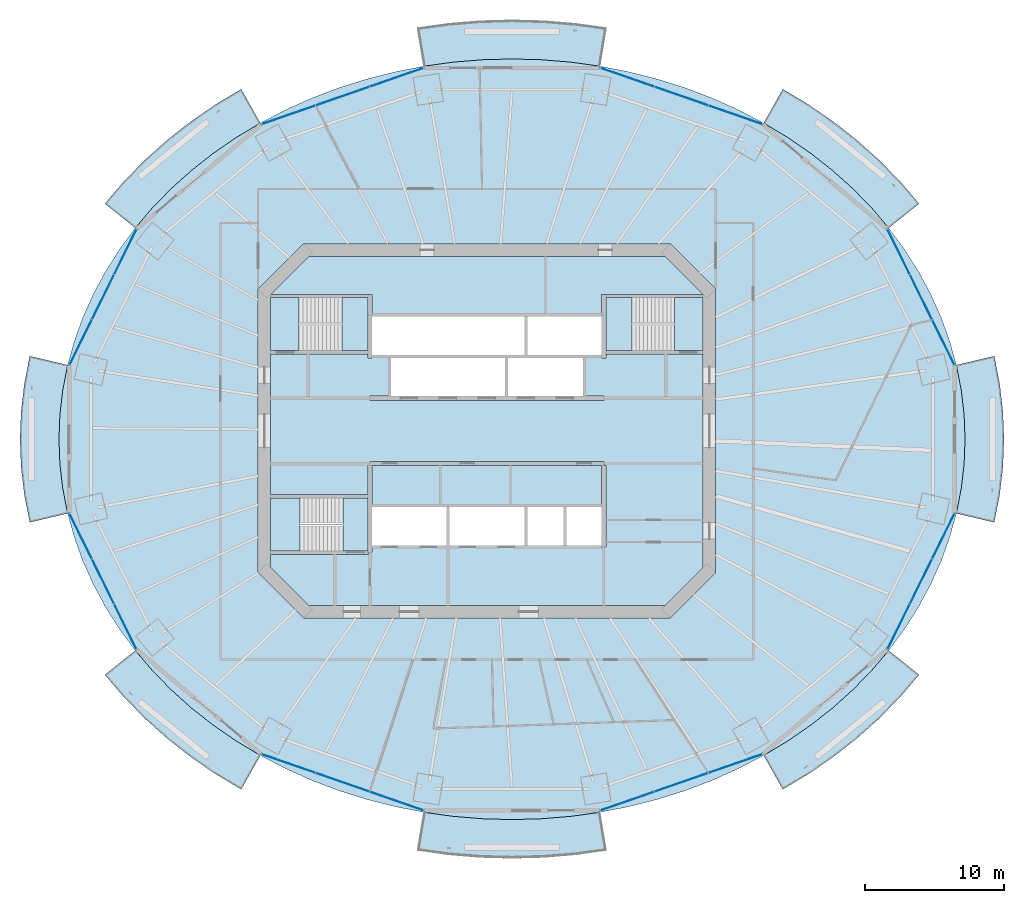
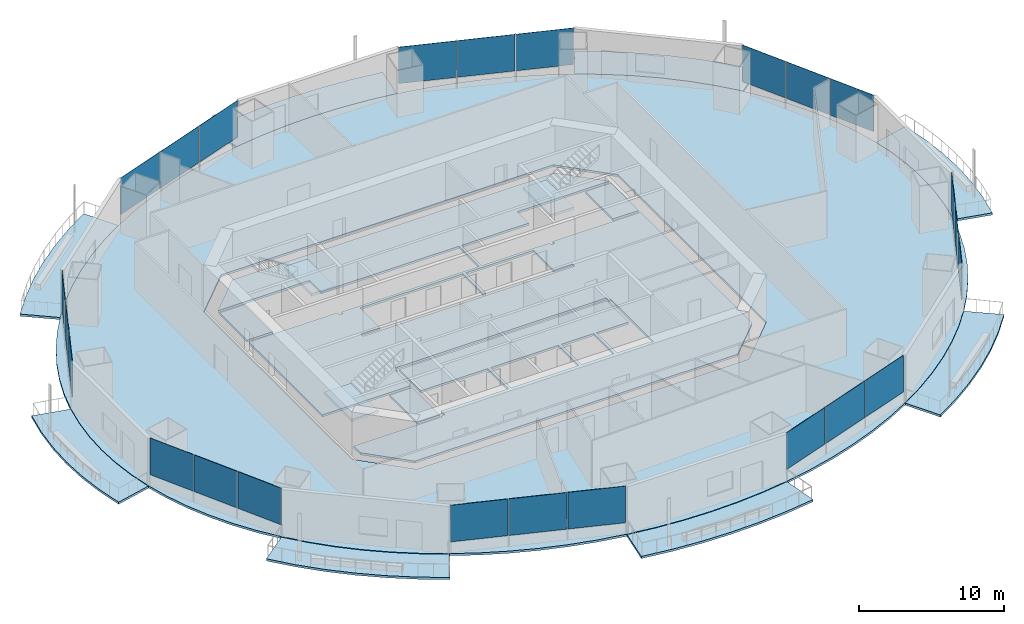
# One storey, part 10 of 20: 24 plates, 16 slabs, 11 elements without a shape of their own.
"""IFC4 building model written with IfcOpenShell, lengths in metres."""

from ifc_helpers import new_model, si_unit, direction, frame, origin, origin_2d, place, context, subcontext, project, spatial, polyline, rectangle, outline, extrude, material, layer, layer_set, type_object, element, aggregate, save


model = new_model("IFC4")

# Units and contexts
model_context = context("Model", 3, precision=1e-05, world=origin(), true_north=direction((0.0, 1.0)))
body_context = subcontext(model_context, "Body", "Model", "MODEL_VIEW")
ifc_project = project(units=[si_unit("LENGTHUNIT", "METRE"), si_unit("AREAUNIT", "SQUARE_METRE"), si_unit("VOLUMEUNIT", "CUBIC_METRE"), si_unit("PLANEANGLEUNIT", "RADIAN"), si_unit("MASSUNIT", "GRAM", prefix="KILO")], contexts=[model_context])

# Site, building, storey
site_placement = place(None, origin())
site = spatial("IfcSite", under=ifc_project, at=site_placement, CompositionType="ELEMENT")
building_placement = place(site_placement, origin())
building = spatial("IfcBuilding", under=site, at=building_placement, Name="Marenthal Gate Tower", CompositionType="ELEMENT")
storey_placement = place(building_placement, frame((0.0, 0.0, 177.64990234375)))
storey = spatial("IfcBuildingStorey", under=building, at=storey_placement, Name="L38", CompositionType="ELEMENT", Elevation=177.64990234375)

# Slabs
ifc_material_1 = material(Name="Concrete 40 MPa", Category="concrete")
ifc_layer_1 = layer(ifc_material_1, 0.179931640625)
ifc_layer_set_1 = layer_set([ifc_layer_1], Name="Balcony deck 180")
slab_type_1 = type_object("IfcSlabType", Name="Balcony deck 180", PredefinedType="USERDEFINED", material=ifc_layer_set_1)
slab_1_placement = place(storey_placement, frame((0.0, 0.0, -0.219970703125)))
element("IfcSlab", 1, at=slab_1_placement, inside=storey, type_object=slab_type_1, Name="Balcony deck L38 bay 2", ObjectType="BALCONY", PredefinedType="USERDEFINED", context=body_context, shape_type="SweptSolid", body=[
    extrude(outline(polyline([(28.88671875, 14.592529296875), (27.64501953125, 16.047119140625), (26.292724609375, 17.430419921875), (24.83544921875, 18.736572265625), (23.279541015625, 19.959716796875), (21.631591796875, 21.094970703125), (19.898681640625, 22.137451171875), (21.2685546875, 24.57958984375), (23.147705078125, 23.448974609375), (24.939453125, 22.214599609375), (26.635498046875, 20.881103515625), (28.228759765625, 19.453125), (29.711669921875, 17.936279296875), (31.077392578125, 16.33642578125), (28.88671875, 14.592529296875)])), origin(), (0.0, 0.0, 1.0), 0.18017578125),
])
slab_2_placement = place(storey_placement, frame((0.0, 0.0, -0.219970703125)))
element("IfcSlab", 2, at=slab_2_placement, inside=storey, type_object=slab_type_1, Name="Balcony deck L38 bay 4", ObjectType="BALCONY", PredefinedType="USERDEFINED", context=body_context, shape_type="SweptSolid", body=[
    extrude(outline(polyline([(8.155517578125, 26.220703125), (6.05224609375, 26.51220703125), (3.9306640625, 26.6875), (1.800048828125, 26.74609375), (-0.33056640625, 26.6875), (-2.4521484375, 26.51220703125), (-4.555419921875, 26.220703125), (-5.0166015625, 28.982421875), (-2.759765625, 29.295166015625), (-0.484375, 29.483154296875), (1.800048828125, 29.5458984375), (4.08447265625, 29.483154296875), (6.35986328125, 29.295166015625), (8.61669921875, 28.982421875), (8.155517578125, 26.220703125)])), origin(), (0.0, 0.0, 1.0), 0.18017578125),
])
slab_3_placement = place(storey_placement, frame((0.0, 0.0, -0.219970703125)))
element("IfcSlab", 3, at=slab_3_placement, inside=storey, type_object=slab_type_1, Name="Balcony deck L38 bay 6", ObjectType="BALCONY", PredefinedType="USERDEFINED", context=body_context, shape_type="SweptSolid", body=[
    extrude(outline(polyline([(-16.298828125, 22.137451171875), (-18.031494140625, 21.094970703125), (-19.679443359375, 19.959716796875), (-21.2353515625, 18.736572265625), (-22.692626953125, 17.430419921875), (-24.045166015625, 16.047119140625), (-25.286865234375, 14.592529296875), (-27.4775390625, 16.33642578125), (-26.11181640625, 17.936279296875), (-24.62890625, 19.453125), (-23.03564453125, 20.881103515625), (-21.33935546875, 22.214599609375), (-19.5478515625, 23.448974609375), (-17.66845703125, 24.57958984375), (-16.298828125, 22.137451171875)])), origin(), (0.0, 0.0, 1.0), 0.18017578125),
])
slab_4_placement = place(storey_placement, frame((0.0, 0.0, -0.219970703125)))
element("IfcSlab", 4, at=slab_4_placement, inside=storey, type_object=slab_type_1, Name="Balcony deck L38 bay 8", ObjectType="BALCONY", PredefinedType="USERDEFINED", context=body_context, shape_type="SweptSolid", body=[
    extrude(outline(polyline([(-30.15087890625, 4.73486328125), (-30.498291015625, 2.969482421875), (-30.707275390625, 1.1884765625), (-30.777099609375, -0.60009765625), (-30.707275390625, -2.388427734375), (-30.498291015625, -4.16943359375), (-30.15087890625, -5.934814453125), (-32.87548828125, -6.58056640625), (-33.264404296875, -4.603271484375), (-33.498779296875, -2.6064453125), (-33.576904296875, -0.60009765625), (-33.498779296875, 1.406494140625), (-33.264404296875, 3.4033203125), (-32.87548828125, 5.380615234375), (-30.15087890625, 4.73486328125)])), origin(), (0.0, 0.0, 1.0), 0.18017578125),
])
slab_5_placement = place(storey_placement, frame((0.0, 0.0, -0.219970703125)))
element("IfcSlab", 5, at=slab_5_placement, inside=storey, type_object=slab_type_1, Name="Balcony deck L38 bay 10", ObjectType="BALCONY", PredefinedType="USERDEFINED", context=body_context, shape_type="SweptSolid", body=[
    extrude(outline(polyline([(-25.286865234375, -15.79248046875), (-24.045166015625, -17.247314453125), (-22.692626953125, -18.630615234375), (-21.2353515625, -19.9365234375), (-19.679443359375, -21.159912109375), (-18.031494140625, -22.294921875), (-16.298828125, -23.33740234375), (-17.66845703125, -25.779541015625), (-19.5478515625, -24.64892578125), (-21.33935546875, -23.414794921875), (-23.03564453125, -22.0810546875), (-24.62890625, -20.6533203125), (-26.11181640625, -19.136474609375), (-27.4775390625, -17.536376953125), (-25.286865234375, -15.79248046875)])), origin(), (0.0, 0.0, 1.0), 0.18017578125),
])
slab_6_placement = place(storey_placement, frame((0.0, 0.0, -0.219970703125)))
element("IfcSlab", 6, at=slab_6_placement, inside=storey, type_object=slab_type_1, Name="Balcony deck L38 bay 12", ObjectType="BALCONY", PredefinedType="USERDEFINED", context=body_context, shape_type="SweptSolid", body=[
    extrude(outline(polyline([(-4.555419921875, -27.420654296875), (-2.4521484375, -27.712158203125), (-0.33056640625, -27.887451171875), (1.800048828125, -27.946044921875), (3.9306640625, -27.887451171875), (6.05224609375, -27.712158203125), (8.155517578125, -27.420654296875), (8.61669921875, -30.182373046875), (6.35986328125, -30.4951171875), (4.08447265625, -30.683349609375), (1.800048828125, -30.74609375), (-0.484375, -30.683349609375), (-2.759765625, -30.4951171875), (-5.0166015625, -30.182373046875), (-4.555419921875, -27.420654296875)])), origin(), (0.0, 0.0, 1.0), 0.18017578125),
])
slab_7_placement = place(storey_placement, frame((0.0, 0.0, -0.219970703125)))
element("IfcSlab", 7, at=slab_7_placement, inside=storey, type_object=slab_type_1, Name="Balcony deck L38 bay 14", ObjectType="BALCONY", PredefinedType="USERDEFINED", context=body_context, shape_type="SweptSolid", body=[
    extrude(outline(polyline([(19.898681640625, -23.33740234375), (21.631591796875, -22.294921875), (23.279541015625, -21.159912109375), (24.83544921875, -19.9365234375), (26.292724609375, -18.630615234375), (27.64501953125, -17.247314453125), (28.88671875, -15.79248046875), (31.077392578125, -17.536376953125), (29.711669921875, -19.136474609375), (28.228759765625, -20.6533203125), (26.635498046875, -22.0810546875), (24.939453125, -23.414794921875), (23.147705078125, -24.64892578125), (21.2685546875, -25.779541015625), (19.898681640625, -23.33740234375)])), origin(), (0.0, 0.0, 1.0), 0.18017578125),
])
slab_8_placement = place(storey_placement, frame((0.0, 0.0, -0.219970703125)))
element("IfcSlab", 8, at=slab_8_placement, inside=storey, type_object=slab_type_1, Name="Balcony deck L38 bay 16", ObjectType="BALCONY", PredefinedType="USERDEFINED", context=body_context, shape_type="SweptSolid", body=[
    extrude(outline(polyline([(33.7509765625, -5.934814453125), (34.098388671875, -4.16943359375), (34.307373046875, -2.388427734375), (34.376953125, -0.60009765625), (34.307373046875, 1.1884765625), (34.098388671875, 2.969482421875), (33.7509765625, 4.73486328125), (36.4755859375, 5.380615234375), (36.864501953125, 3.4033203125), (37.098876953125, 1.406494140625), (37.177001953125, -0.60009765625), (37.098876953125, -2.6064453125), (36.864501953125, -4.603271484375), (36.4755859375, -6.58056640625), (33.7509765625, -5.934814453125)])), origin(), (0.0, 0.0, 1.0), 0.18017578125),
])
ifc_material_2 = material(Name="Concrete 50 MPa", Category="concrete")
ifc_layer_2 = layer(ifc_material_2, 0.179931640625)
ifc_layer_set_2 = layer_set([ifc_layer_2], Name="Core floor slab 180")
slab_type_2 = type_object("IfcSlabType", Name="Core floor slab 180", PredefinedType="FLOOR", material=ifc_layer_set_2)
slab_9_placement = place(storey_placement, frame((0.0, 0.0, -0.179931640625)))
element("IfcSlab", 9, at=slab_9_placement, inside=storey, type_object=slab_type_2, Name="Core floor L38", PredefinedType="FLOOR", context=body_context, shape_type="SweptSolid", body=[
    extrude(outline(polyline([(12.813720703125, -12.550048828125), (-12.813720703125, -12.550048828125), (-15.550048828125, -9.813720703125), (-15.550048828125, -8.875), (-8.550048828125, -8.875), (-8.550048828125, -8.75), (-8.25, -8.75), (-8.25, -8.239990234375), (-5.60009765625, -8.239990234375), (-2.909912109375, -8.239990234375), (-2.909912109375, -5.4599609375), (-5.60009765625, -5.4599609375), (-8.25, -5.4599609375), (-8.25, -2.5), (8.25, -2.5), (8.25, -5.4599609375), (5.7099609375, -5.4599609375), (5.7099609375, -8.239990234375), (8.25, -8.239990234375), (8.25, -8.35009765625), (8.550048828125, -8.35009765625), (8.550048828125, -2.5), (8.39990234375, -2.5), (8.39990234375, -2.199951171875), (-8.39990234375, -2.199951171875), (-8.39990234375, -2.5), (-8.550048828125, -2.5), (-8.550048828125, -4.574951171875), (-15.550048828125, -4.574951171875), (-15.550048828125, 5.52490234375), (-8.550048828125, 5.52490234375), (-8.550048828125, 5.239990234375), (-8.25, 5.239990234375), (-8.25, 5.4599609375), (-5.60009765625, 5.4599609375), (-2.800048828125, 5.4599609375), (0.0, 5.4599609375), (2.68994140625, 5.4599609375), (2.68994140625, 8.239990234375), (0.0, 8.239990234375), (-2.800048828125, 8.239990234375), (-5.60009765625, 8.239990234375), (-8.25, 8.239990234375), (-8.25, 8.35009765625), (-8.25, 9.824951171875), (-8.550048828125, 9.824951171875), (-15.53857421875, 9.824951171875), (-12.813720703125, 12.550048828125), (12.813720703125, 12.550048828125), (15.53857421875, 9.824951171875), (8.550048828125, 9.824951171875), (8.25, 9.824951171875), (8.25, 8.35009765625), (8.25, 8.239990234375), (5.60009765625, 8.239990234375), (2.909912109375, 8.239990234375), (2.909912109375, 5.4599609375), (5.60009765625, 5.4599609375), (8.25, 5.4599609375), (8.25, 5.239990234375), (8.550048828125, 5.239990234375), (8.550048828125, 5.52490234375), (15.550048828125, 5.52490234375), (15.550048828125, -9.813720703125), (12.813720703125, -12.550048828125)]), holes=[polyline([(2.68994140625, -8.239990234375), (2.68994140625, -5.4599609375), (0.0, -5.4599609375), (-2.68994140625, -5.4599609375), (-2.68994140625, -8.239990234375), (0.0, -8.239990234375), (2.68994140625, -8.239990234375)]), polyline([(-6.889892578125, 5.239990234375), (-6.889892578125, 2.5), (-8.39990234375, 2.5), (-8.39990234375, 2.199951171875), (8.39990234375, 2.199951171875), (8.39990234375, 2.5), (6.889892578125, 2.5), (6.889892578125, 5.239990234375), (4.199951171875, 5.239990234375), (1.510009765625, 5.239990234375), (1.510009765625, 2.5), (1.2900390625, 2.5), (1.2900390625, 5.239990234375), (-1.39990234375, 5.239990234375), (-4.199951171875, 5.239990234375), (-6.889892578125, 5.239990234375)]), polyline([(5.489990234375, -5.4599609375), (2.909912109375, -5.4599609375), (2.909912109375, -8.239990234375), (5.489990234375, -8.239990234375), (5.489990234375, -5.4599609375)])]), origin(), (0.0, 0.0, 1.0), 0.179931640625),
])
slab_10_placement = place(storey_placement, frame((0.0, 0.0, -0.179931640625)))
element("IfcSlab", 10, at=slab_10_placement, inside=storey, type_object=slab_type_2, Name="Core floor L38", PredefinedType="FLOOR", context=body_context, shape_type="SweptSolid", body=[
    extrude(outline(polyline([(15.550048828125, 5.77490234375), (13.5, 5.77490234375), (13.5, 9.574951171875), (15.550048828125, 9.574951171875), (15.550048828125, 5.77490234375)])), origin(), (0.0, 0.0, 1.0), 0.179931640625),
])
slab_11_placement = place(storey_placement, frame((0.0, 0.0, -0.179931640625)))
element("IfcSlab", 11, at=slab_11_placement, inside=storey, type_object=slab_type_2, Name="Core floor L38", PredefinedType="FLOOR", context=body_context, shape_type="SweptSolid", body=[
    extrude(outline(polyline([(-15.550048828125, 9.574951171875), (-13.5, 9.574951171875), (-13.5, 5.77490234375), (-15.550048828125, 5.77490234375), (-15.550048828125, 9.574951171875)])), origin(), (0.0, 0.0, 1.0), 0.179931640625),
])
slab_12_placement = place(storey_placement, frame((0.0, 0.0, -0.179931640625)))
element("IfcSlab", 12, at=slab_12_placement, inside=storey, type_object=slab_type_2, Name="Core floor L38", PredefinedType="FLOOR", context=body_context, shape_type="SweptSolid", body=[
    extrude(outline(polyline([(-8.550048828125, -8.625), (-10.35009765625, -8.625), (-10.35009765625, -4.824951171875), (-8.550048828125, -4.824951171875), (-8.550048828125, -8.625)])), origin(), (0.0, 0.0, 1.0), 0.179931640625),
])
ifc_material_3 = material(Name="Concrete 35 MPa", Category="concrete")
ifc_layer_3 = layer(ifc_material_3, 0.179931640625)
ifc_layer_set_3 = layer_set([ifc_layer_3], Name="Floor slab 180")
slab_type_3 = type_object("IfcSlabType", Name="Floor slab 180", PredefinedType="FLOOR", material=ifc_layer_set_3)
slab_13_placement = place(storey_placement, frame((0.0, 0.0, -0.179931640625)))
element("IfcSlab", 13, at=slab_13_placement, inside=storey, type_object=slab_type_3, Name="SL-L38-01", PredefinedType="FLOOR", context=body_context, shape_type="SweptSolid", body=[
    extrude(outline(polyline([(34.376953125, -0.60009765625), (34.307373046875, 1.1884765625), (34.098388671875, 2.969482421875), (33.7509765625, 4.73486328125), (33.26708984375, 6.477783203125), (32.648193359375, 8.190185546875), (31.897216796875, 9.864990234375), (31.017333984375, 11.494873046875), (30.012451171875, 13.072998046875), (28.88671875, 14.592529296875), (27.64501953125, 16.047119140625), (26.292724609375, 17.430419921875), (24.83544921875, 18.736572265625), (23.279541015625, 19.959716796875), (21.631591796875, 21.094970703125), (19.898681640625, 22.137451171875), (18.08837890625, 23.082275390625), (16.20849609375, 23.92578125), (14.2666015625, 24.664306640625), (12.271484375, 25.294921875), (10.2314453125, 25.814208984375), (8.155517578125, 26.220703125), (6.05224609375, 26.51220703125), (3.9306640625, 26.6875), (1.800048828125, 26.74609375), (-0.33056640625, 26.6875), (-2.4521484375, 26.51220703125), (-4.555419921875, 26.220703125), (-6.631591796875, 25.814208984375), (-8.67138671875, 25.294921875), (-10.666748046875, 24.664306640625), (-12.6083984375, 23.92578125), (-14.488525390625, 23.082275390625), (-16.298828125, 22.137451171875), (-18.031494140625, 21.094970703125), (-19.679443359375, 19.959716796875), (-21.2353515625, 18.736572265625), (-22.692626953125, 17.430419921875), (-24.045166015625, 16.047119140625), (-25.286865234375, 14.592529296875), (-26.41259765625, 13.072998046875), (-27.41748046875, 11.494873046875), (-28.297119140625, 9.864990234375), (-29.048095703125, 8.190185546875), (-29.6669921875, 6.477783203125), (-30.15087890625, 4.73486328125), (-30.498291015625, 2.969482421875), (-30.707275390625, 1.1884765625), (-30.777099609375, -0.60009765625), (-30.707275390625, -2.388427734375), (-30.498291015625, -4.16943359375), (-30.15087890625, -5.934814453125), (-29.6669921875, -7.677734375), (-29.048095703125, -9.39013671875), (-28.297119140625, -11.06494140625), (-27.41748046875, -12.69482421875), (-26.41259765625, -14.27294921875), (-25.286865234375, -15.79248046875), (-24.045166015625, -17.247314453125), (-22.692626953125, -18.630615234375), (-21.2353515625, -19.9365234375), (-19.679443359375, -21.159912109375), (-18.031494140625, -22.294921875), (-16.298828125, -23.33740234375), (-14.488525390625, -24.2822265625), (-12.6083984375, -25.1259765625), (-10.666748046875, -25.864501953125), (-8.67138671875, -26.494873046875), (-6.631591796875, -27.01416015625), (-4.555419921875, -27.420654296875), (-2.4521484375, -27.712158203125), (-0.33056640625, -27.887451171875), (1.800048828125, -27.946044921875), (3.9306640625, -27.887451171875), (6.05224609375, -27.712158203125), (8.155517578125, -27.420654296875), (10.2314453125, -27.01416015625), (12.271484375, -26.494873046875), (14.2666015625, -25.864501953125), (16.20849609375, -25.1259765625), (18.08837890625, -24.2822265625), (19.898681640625, -23.33740234375), (21.631591796875, -22.294921875), (23.279541015625, -21.159912109375), (24.83544921875, -19.9365234375), (26.292724609375, -18.630615234375), (27.64501953125, -17.247314453125), (28.88671875, -15.79248046875), (30.012451171875, -14.27294921875), (31.017333984375, -12.69482421875), (31.897216796875, -11.06494140625), (32.648193359375, -9.39013671875), (33.26708984375, -7.677734375), (33.7509765625, -5.934814453125), (34.098388671875, -4.16943359375), (34.307373046875, -2.388427734375), (34.376953125, -0.60009765625)]), holes=[polyline([(13.186279296875, -13.449951171875), (16.449951171875, -10.186279296875), (16.449951171875, 10.186279296875), (13.186279296875, 13.449951171875), (-13.186279296875, 13.449951171875), (-16.449951171875, 10.186279296875), (-16.449951171875, -10.186279296875), (-13.186279296875, -13.449951171875), (13.186279296875, -13.449951171875)])]), origin(), (0.0, 0.0, 1.0), 0.179931640625),
])

# Curtain wall, plates
ifc_material_4 = material(Name="Aluminium and glass", Category="aluminium")
curtain_wall_type = type_object("IfcCurtainWallType", Name="Curtain wall typical mid", PredefinedType="NOTDEFINED", material=ifc_material_4)
curtain_wall_1_placement = place(storey_placement, origin())
curtain_wall_1 = element("IfcCurtainWall", 14, at=curtain_wall_1_placement, inside=storey, type_object=curtain_wall_type, Name="Curtain wall L38 bay 1", PredefinedType="NOTDEFINED")
ifc_material_5 = material(Name="Glass, laminated insulating unit", Category="glass")
ifc_layer_4 = layer(ifc_material_5, 0.030029296875)
ifc_layer_set_4 = layer_set([ifc_layer_4], Name="Glass panel 30 typical mid")
plate_type = type_object("IfcPlateType", Name="Glass panel 30 typical mid", PredefinedType="CURTAIN_PANEL", material=ifc_layer_set_4)
plate_1_placement = place(storey_placement, frame((32.816650390625, 6.365234375, 0.89990234375), z_axis=(0.0, 0.0, 1.0), x_axis=(-0.442753381428, 0.89664343149, 0.0)))
plate_1 = element("IfcPlate", 15, at=plate_1_placement, type_object=plate_type, Name="Glass panel L38 bay 1.1", PredefinedType="CURTAIN_PANEL", context=body_context, shape_type="SweptSolid", body=[
    extrude(rectangle(XDim=3.568603515625, YDim=0.030029296875, at=origin_2d()), origin(), (0.0, 0.0, 1.0), 3.070068359375),
])
plate_2_placement = place(storey_placement, frame((31.210205078125, 9.61865234375, 0.89990234375), z_axis=(0.0, 0.0, 1.0), x_axis=(-0.442753381428, 0.89664343149, 0.0)))
plate_2 = element("IfcPlate", 16, at=plate_2_placement, type_object=plate_type, Name="Glass panel L38 bay 1.2", PredefinedType="CURTAIN_PANEL", context=body_context, shape_type="SweptSolid", body=[
    extrude(rectangle(XDim=3.568603515625, YDim=0.030029296875, at=origin_2d()), origin(), (0.0, 0.0, 1.0), 3.070068359375),
])
plate_3_placement = place(storey_placement, frame((29.603515625, 12.872314453125, 0.89990234375), z_axis=(0.0, 0.0, 1.0), x_axis=(-0.442753381428, 0.89664343149, 0.0)))
plate_3 = element("IfcPlate", 17, at=plate_3_placement, type_object=plate_type, Name="Glass panel L38 bay 1.3", PredefinedType="CURTAIN_PANEL", context=body_context, shape_type="SweptSolid", body=[
    extrude(rectangle(XDim=3.568603515625, YDim=0.030029296875, at=origin_2d()), origin(), (0.0, 0.0, 1.0), 3.070068359375),
])
aggregate(curtain_wall_1, [plate_1, plate_2, plate_3])

curtain_wall_2_placement = place(storey_placement, origin())
curtain_wall_2 = element("IfcCurtainWall", 18, at=curtain_wall_2_placement, inside=storey, type_object=curtain_wall_type, Name="Curtain wall L38 bay 3", PredefinedType="NOTDEFINED")
plate_4_placement = place(storey_placement, frame((17.86328125, 22.7216796875, 0.89990234375), z_axis=(0.0, 0.0, 1.0), x_axis=(-0.944604464856, 0.32821091538, 0.0)))
plate_4 = element("IfcPlate", 19, at=plate_4_placement, type_object=plate_type, Name="Glass panel L38 bay 3.1", PredefinedType="CURTAIN_PANEL", context=body_context, shape_type="SweptSolid", body=[
    extrude(rectangle(XDim=4.048583984375, YDim=0.030029296875, at=origin_2d()), origin(), (0.0, 0.0, 1.0), 3.070068359375),
])
plate_5_placement = place(storey_placement, frame((13.982177734375, 24.0703125, 0.89990234375), z_axis=(0.0, 0.0, 1.0), x_axis=(-0.944604464856, 0.32821091538, 0.0)))
plate_5 = element("IfcPlate", 20, at=plate_5_placement, type_object=plate_type, Name="Glass panel L38 bay 3.2", PredefinedType="CURTAIN_PANEL", context=body_context, shape_type="SweptSolid", body=[
    extrude(rectangle(XDim=4.048828125, YDim=0.030029296875, at=origin_2d()), origin(), (0.0, 0.0, 1.0), 3.070068359375),
])
plate_6_placement = place(storey_placement, frame((10.100830078125, 25.418701171875, 0.89990234375), z_axis=(0.0, 0.0, 1.0), x_axis=(-0.944604464856, 0.32821091538, 0.0)))
plate_6 = element("IfcPlate", 21, at=plate_6_placement, type_object=plate_type, Name="Glass panel L38 bay 3.3", PredefinedType="CURTAIN_PANEL", context=body_context, shape_type="SweptSolid", body=[
    extrude(rectangle(XDim=4.048583984375, YDim=0.030029296875, at=origin_2d()), origin(), (0.0, 0.0, 1.0), 3.070068359375),
])
aggregate(curtain_wall_2, [plate_4, plate_5, plate_6])

curtain_wall_3_placement = place(storey_placement, origin())
curtain_wall_3 = element("IfcCurtainWall", 22, at=curtain_wall_3_placement, inside=storey, type_object=curtain_wall_type, Name="Curtain wall L38 bay 5", PredefinedType="NOTDEFINED")
plate_7_placement = place(storey_placement, frame((-6.5009765625, 25.418701171875, 0.89990234375), z_axis=(0.0, 0.0, 1.0), x_axis=(-0.944604464856, -0.32821091538, 0.0)))
plate_7 = element("IfcPlate", 23, at=plate_7_placement, type_object=plate_type, Name="Glass panel L38 bay 5.1", PredefinedType="CURTAIN_PANEL", context=body_context, shape_type="SweptSolid", body=[
    extrude(rectangle(XDim=4.048583984375, YDim=0.030029296875, at=origin_2d()), origin(), (0.0, 0.0, 1.0), 3.070068359375),
])
plate_8_placement = place(storey_placement, frame((-10.382080078125, 24.0703125, 0.89990234375), z_axis=(0.0, 0.0, 1.0), x_axis=(-0.944604464856, -0.32821091538, 0.0)))
plate_8 = element("IfcPlate", 24, at=plate_8_placement, type_object=plate_type, Name="Glass panel L38 bay 5.2", PredefinedType="CURTAIN_PANEL", context=body_context, shape_type="SweptSolid", body=[
    extrude(rectangle(XDim=4.048828125, YDim=0.030029296875, at=origin_2d()), origin(), (0.0, 0.0, 1.0), 3.070068359375),
])
plate_9_placement = place(storey_placement, frame((-14.26318359375, 22.7216796875, 0.89990234375), z_axis=(0.0, 0.0, 1.0), x_axis=(-0.944604464856, -0.32821091538, 0.0)))
plate_9 = element("IfcPlate", 25, at=plate_9_placement, type_object=plate_type, Name="Glass panel L38 bay 5.3", PredefinedType="CURTAIN_PANEL", context=body_context, shape_type="SweptSolid", body=[
    extrude(rectangle(XDim=4.048583984375, YDim=0.030029296875, at=origin_2d()), origin(), (0.0, 0.0, 1.0), 3.070068359375),
])
aggregate(curtain_wall_3, [plate_7, plate_8, plate_9])

curtain_wall_4_placement = place(storey_placement, origin())
curtain_wall_4 = element("IfcCurtainWall", 26, at=curtain_wall_4_placement, inside=storey, type_object=curtain_wall_type, Name="Curtain wall L38 bay 7", PredefinedType="NOTDEFINED")
plate_10_placement = place(storey_placement, frame((-26.003662109375, 12.872314453125, 0.89990234375), z_axis=(0.0, 0.0, 1.0), x_axis=(-0.442753381428, -0.89664343149, 0.0)))
plate_10 = element("IfcPlate", 27, at=plate_10_placement, type_object=plate_type, Name="Glass panel L38 bay 7.1", PredefinedType="CURTAIN_PANEL", context=body_context, shape_type="SweptSolid", body=[
    extrude(rectangle(XDim=3.568603515625, YDim=0.030029296875, at=origin_2d()), origin(), (0.0, 0.0, 1.0), 3.070068359375),
])
plate_11_placement = place(storey_placement, frame((-27.610107421875, 9.61865234375, 0.89990234375), z_axis=(0.0, 0.0, 1.0), x_axis=(-0.442753381428, -0.89664343149, 0.0)))
plate_11 = element("IfcPlate", 28, at=plate_11_placement, type_object=plate_type, Name="Glass panel L38 bay 7.2", PredefinedType="CURTAIN_PANEL", context=body_context, shape_type="SweptSolid", body=[
    extrude(rectangle(XDim=3.568603515625, YDim=0.030029296875, at=origin_2d()), origin(), (0.0, 0.0, 1.0), 3.070068359375),
])
plate_12_placement = place(storey_placement, frame((-29.216796875, 6.365234375, 0.89990234375), z_axis=(0.0, 0.0, 1.0), x_axis=(-0.442753381428, -0.89664343149, 0.0)))
plate_12 = element("IfcPlate", 29, at=plate_12_placement, type_object=plate_type, Name="Glass panel L38 bay 7.3", PredefinedType="CURTAIN_PANEL", context=body_context, shape_type="SweptSolid", body=[
    extrude(rectangle(XDim=3.568603515625, YDim=0.030029296875, at=origin_2d()), origin(), (0.0, 0.0, 1.0), 3.070068359375),
])
aggregate(curtain_wall_4, [plate_10, plate_11, plate_12])

curtain_wall_5_placement = place(storey_placement, origin())
curtain_wall_5 = element("IfcCurtainWall", 30, at=curtain_wall_5_placement, inside=storey, type_object=curtain_wall_type, Name="Curtain wall L38 bay 9", PredefinedType="NOTDEFINED")
plate_13_placement = place(storey_placement, frame((-29.216796875, -7.565185546875, 0.89990234375), z_axis=(0.0, 0.0, 1.0), x_axis=(0.442753381428, -0.89664343149, 0.0)))
plate_13 = element("IfcPlate", 31, at=plate_13_placement, type_object=plate_type, Name="Glass panel L38 bay 9.1", PredefinedType="CURTAIN_PANEL", context=body_context, shape_type="SweptSolid", body=[
    extrude(rectangle(XDim=3.568603515625, YDim=0.030029296875, at=origin_2d()), origin(), (0.0, 0.0, 1.0), 3.070068359375),
])
plate_14_placement = place(storey_placement, frame((-27.610107421875, -10.81884765625, 0.89990234375), z_axis=(0.0, 0.0, 1.0), x_axis=(0.442753381428, -0.89664343149, 0.0)))
plate_14 = element("IfcPlate", 32, at=plate_14_placement, type_object=plate_type, Name="Glass panel L38 bay 9.2", PredefinedType="CURTAIN_PANEL", context=body_context, shape_type="SweptSolid", body=[
    extrude(rectangle(XDim=3.568603515625, YDim=0.030029296875, at=origin_2d()), origin(), (0.0, 0.0, 1.0), 3.070068359375),
])
plate_15_placement = place(storey_placement, frame((-26.003662109375, -14.072265625, 0.89990234375), z_axis=(0.0, 0.0, 1.0), x_axis=(0.442753381428, -0.89664343149, 0.0)))
plate_15 = element("IfcPlate", 33, at=plate_15_placement, type_object=plate_type, Name="Glass panel L38 bay 9.3", PredefinedType="CURTAIN_PANEL", context=body_context, shape_type="SweptSolid", body=[
    extrude(rectangle(XDim=3.568603515625, YDim=0.030029296875, at=origin_2d()), origin(), (0.0, 0.0, 1.0), 3.070068359375),
])
aggregate(curtain_wall_5, [plate_13, plate_14, plate_15])

curtain_wall_6_placement = place(storey_placement, origin())
curtain_wall_6 = element("IfcCurtainWall", 34, at=curtain_wall_6_placement, inside=storey, type_object=curtain_wall_type, Name="Curtain wall L38 bay 11", PredefinedType="NOTDEFINED")
plate_16_placement = place(storey_placement, frame((-14.26318359375, -23.921630859375, 0.89990234375), z_axis=(0.0, 0.0, 1.0), x_axis=(0.944604464856, -0.32821091538, 0.0)))
plate_16 = element("IfcPlate", 35, at=plate_16_placement, type_object=plate_type, Name="Glass panel L38 bay 11.1", PredefinedType="CURTAIN_PANEL", context=body_context, shape_type="SweptSolid", body=[
    extrude(rectangle(XDim=4.048583984375, YDim=0.030029296875, at=origin_2d()), origin(), (0.0, 0.0, 1.0), 3.070068359375),
])
plate_17_placement = place(storey_placement, frame((-10.382080078125, -25.270263671875, 0.89990234375), z_axis=(0.0, 0.0, 1.0), x_axis=(0.944604464856, -0.32821091538, 0.0)))
plate_17 = element("IfcPlate", 36, at=plate_17_placement, type_object=plate_type, Name="Glass panel L38 bay 11.2", PredefinedType="CURTAIN_PANEL", context=body_context, shape_type="SweptSolid", body=[
    extrude(rectangle(XDim=4.048828125, YDim=0.030029296875, at=origin_2d()), origin(), (0.0, 0.0, 1.0), 3.070068359375),
])
plate_18_placement = place(storey_placement, frame((-6.5009765625, -26.618896484375, 0.89990234375), z_axis=(0.0, 0.0, 1.0), x_axis=(0.944604464856, -0.32821091538, 0.0)))
plate_18 = element("IfcPlate", 37, at=plate_18_placement, type_object=plate_type, Name="Glass panel L38 bay 11.3", PredefinedType="CURTAIN_PANEL", context=body_context, shape_type="SweptSolid", body=[
    extrude(rectangle(XDim=4.048583984375, YDim=0.030029296875, at=origin_2d()), origin(), (0.0, 0.0, 1.0), 3.070068359375),
])
aggregate(curtain_wall_6, [plate_16, plate_17, plate_18])

curtain_wall_7_placement = place(storey_placement, origin())
curtain_wall_7 = element("IfcCurtainWall", 38, at=curtain_wall_7_placement, inside=storey, type_object=curtain_wall_type, Name="Curtain wall L38 bay 13", PredefinedType="NOTDEFINED")
plate_19_placement = place(storey_placement, frame((10.100830078125, -26.618896484375, 0.89990234375), z_axis=(0.0, 0.0, 1.0), x_axis=(0.944604464856, 0.32821091538, 0.0)))
plate_19 = element("IfcPlate", 39, at=plate_19_placement, type_object=plate_type, Name="Glass panel L38 bay 13.1", PredefinedType="CURTAIN_PANEL", context=body_context, shape_type="SweptSolid", body=[
    extrude(rectangle(XDim=4.048583984375, YDim=0.030029296875, at=origin_2d()), origin(), (0.0, 0.0, 1.0), 3.070068359375),
])
plate_20_placement = place(storey_placement, frame((13.98193359375, -25.270263671875, 0.89990234375), z_axis=(0.0, 0.0, 1.0), x_axis=(0.944604464856, 0.32821091538, 0.0)))
plate_20 = element("IfcPlate", 40, at=plate_20_placement, type_object=plate_type, Name="Glass panel L38 bay 13.2", PredefinedType="CURTAIN_PANEL", context=body_context, shape_type="SweptSolid", body=[
    extrude(rectangle(XDim=4.048828125, YDim=0.030029296875, at=origin_2d()), origin(), (0.0, 0.0, 1.0), 3.070068359375),
])
plate_21_placement = place(storey_placement, frame((17.86328125, -23.921630859375, 0.89990234375), z_axis=(0.0, 0.0, 1.0), x_axis=(0.944604464856, 0.32821091538, 0.0)))
plate_21 = element("IfcPlate", 41, at=plate_21_placement, type_object=plate_type, Name="Glass panel L38 bay 13.3", PredefinedType="CURTAIN_PANEL", context=body_context, shape_type="SweptSolid", body=[
    extrude(rectangle(XDim=4.048583984375, YDim=0.030029296875, at=origin_2d()), origin(), (0.0, 0.0, 1.0), 3.070068359375),
])
aggregate(curtain_wall_7, [plate_19, plate_20, plate_21])

curtain_wall_8_placement = place(storey_placement, origin())
curtain_wall_8 = element("IfcCurtainWall", 42, at=curtain_wall_8_placement, inside=storey, type_object=curtain_wall_type, Name="Curtain wall L38 bay 15", PredefinedType="NOTDEFINED")
plate_22_placement = place(storey_placement, frame((29.603515625, -14.072265625, 0.89990234375), z_axis=(0.0, 0.0, 1.0), x_axis=(0.442753381428, 0.89664343149, 0.0)))
plate_22 = element("IfcPlate", 43, at=plate_22_placement, type_object=plate_type, Name="Glass panel L38 bay 15.1", PredefinedType="CURTAIN_PANEL", context=body_context, shape_type="SweptSolid", body=[
    extrude(rectangle(XDim=3.568603515625, YDim=0.030029296875, at=origin_2d()), origin(), (0.0, 0.0, 1.0), 3.070068359375),
])
plate_23_placement = place(storey_placement, frame((31.210205078125, -10.81884765625, 0.89990234375), z_axis=(0.0, 0.0, 1.0), x_axis=(0.442753381428, 0.89664343149, 0.0)))
plate_23 = element("IfcPlate", 44, at=plate_23_placement, type_object=plate_type, Name="Glass panel L38 bay 15.2", PredefinedType="CURTAIN_PANEL", context=body_context, shape_type="SweptSolid", body=[
    extrude(rectangle(XDim=3.568603515625, YDim=0.030029296875, at=origin_2d()), origin(), (0.0, 0.0, 1.0), 3.070068359375),
])
plate_24_placement = place(storey_placement, frame((32.816650390625, -7.565185546875, 0.89990234375), z_axis=(0.0, 0.0, 1.0), x_axis=(0.442753381428, 0.89664343149, 0.0)))
plate_24 = element("IfcPlate", 45, at=plate_24_placement, type_object=plate_type, Name="Glass panel L38 bay 15.3", PredefinedType="CURTAIN_PANEL", context=body_context, shape_type="SweptSolid", body=[
    extrude(rectangle(XDim=3.568603515625, YDim=0.030029296875, at=origin_2d()), origin(), (0.0, 0.0, 1.0), 3.070068359375),
])
aggregate(curtain_wall_8, [plate_22, plate_23, plate_24])

# Stair, slab
ifc_material_6 = material(Name="Concrete 40 MPa", Category="concrete")
stair_type = type_object("IfcStairType", Name="Exit stair 1800", PredefinedType="HALF_TURN_STAIR", material=ifc_material_6)
stair_1_placement = place(storey_placement, origin())
stair_1 = element("IfcStair", 46, at=stair_1_placement, inside=storey, type_object=stair_type, Name="Stair ST1", PredefinedType="HALF_TURN_STAIR")
ifc_material_7 = material(Name="Concrete 40 MPa", Category="concrete")
ifc_layer_5 = layer(ifc_material_7, 0.199951171875)
ifc_layer_set_5 = layer_set([ifc_layer_5], Name="Stair landing 200")
slab_type_4 = type_object("IfcSlabType", Name="Stair landing 200", PredefinedType="LANDING", material=ifc_layer_set_5)
slab_14_placement = place(storey_placement, frame((0.0, 0.0, 1.875)))
slab_14 = element("IfcSlab", 47, at=slab_14_placement, type_object=slab_type_4, Name="ST1 landing 1", PredefinedType="LANDING", context=body_context, shape_type="SweptSolid", body=[
    extrude(outline(polyline([(-10.419921875, 5.77490234375), (-8.550048828125, 5.77490234375), (-8.550048828125, 9.574951171875), (-10.419921875, 9.574951171875), (-10.419921875, 5.77490234375)])), origin(), (0.0, 0.0, 1.0), 0.2001953125),
])
aggregate(stair_1, [slab_14])

stair_2_placement = place(storey_placement, origin())
stair_2 = element("IfcStair", 48, at=stair_2_placement, inside=storey, type_object=stair_type, Name="Stair ST2", PredefinedType="HALF_TURN_STAIR")
slab_15_placement = place(storey_placement, frame((0.0, 0.0, 1.875)))
slab_15 = element("IfcSlab", 49, at=slab_15_placement, type_object=slab_type_4, Name="ST2 landing 1", PredefinedType="LANDING", context=body_context, shape_type="SweptSolid", body=[
    extrude(outline(polyline([(-15.550048828125, -8.625), (-13.429931640625, -8.625), (-13.429931640625, -4.824951171875), (-15.550048828125, -4.824951171875), (-15.550048828125, -8.625)])), origin(), (0.0, 0.0, 1.0), 0.2001953125),
])
aggregate(stair_2, [slab_15])

stair_3_placement = place(storey_placement, origin())
stair_3 = element("IfcStair", 50, at=stair_3_placement, inside=storey, type_object=stair_type, Name="Stair ST3", PredefinedType="HALF_TURN_STAIR")
slab_16_placement = place(storey_placement, frame((0.0, 0.0, 1.875)))
slab_16 = element("IfcSlab", 51, at=slab_16_placement, type_object=slab_type_4, Name="ST3 landing 1", PredefinedType="LANDING", context=body_context, shape_type="SweptSolid", body=[
    extrude(outline(polyline([(8.550048828125, 5.77490234375), (10.419921875, 5.77490234375), (10.419921875, 9.574951171875), (8.550048828125, 9.574951171875), (8.550048828125, 5.77490234375)])), origin(), (0.0, 0.0, 1.0), 0.2001953125),
])
aggregate(stair_3, [slab_16])

save(model, "model.ifc")
